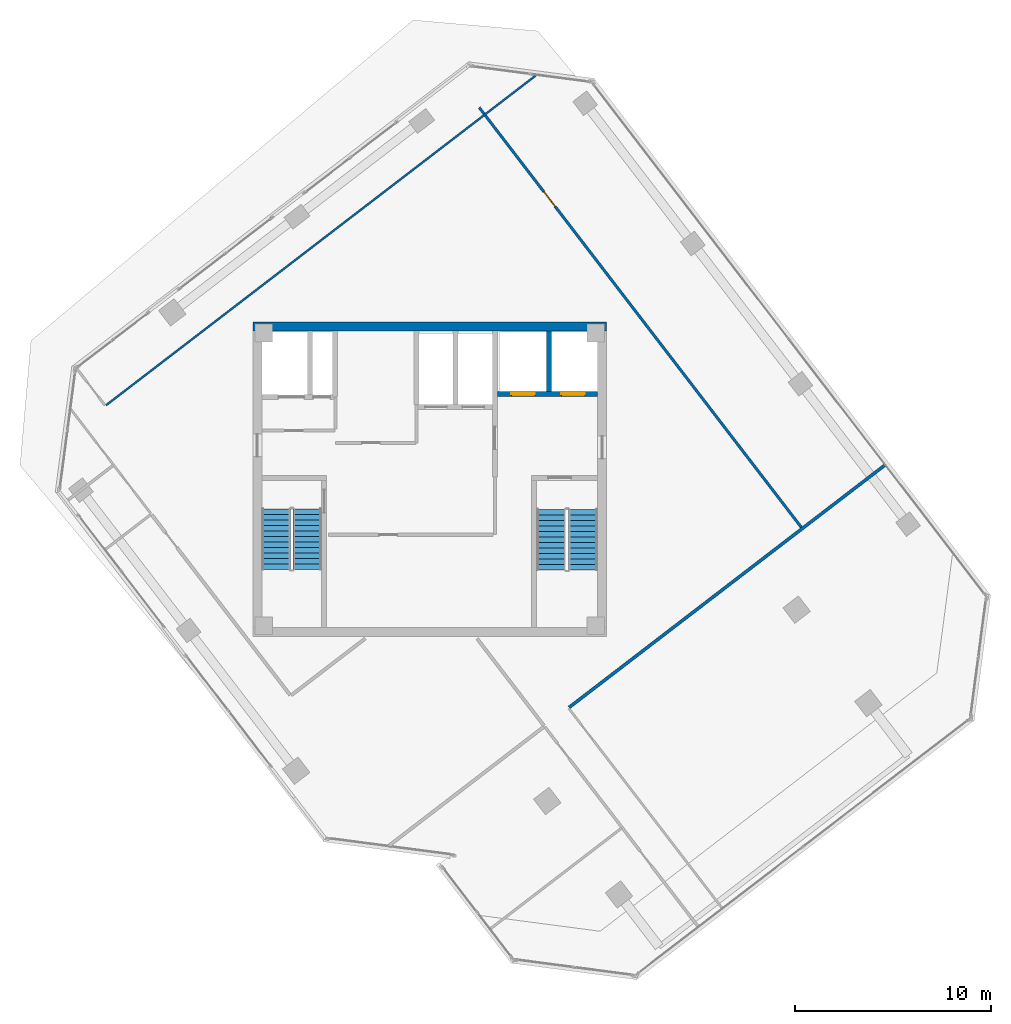
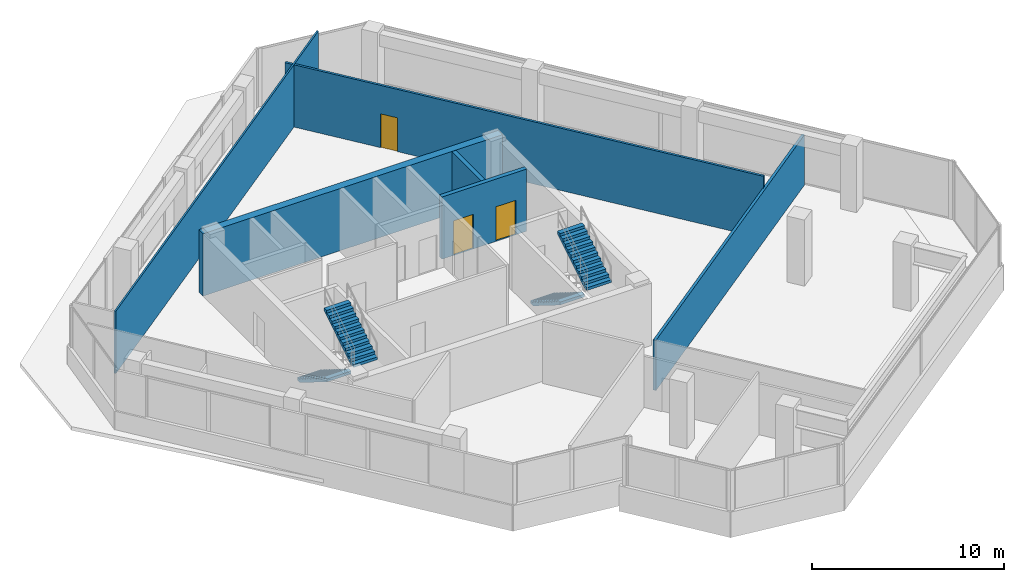
# One storey, part 14 of 17: 6 walls, 4 stair flights, 3 doors, 3 openings, 2 elements without a shape of their own.
"""IFC4 building model written with IfcOpenShell, lengths in metres."""

from ifc_helpers import new_model, si_unit, direction, frame, frame_2d, origin, place, context, subcontext, project, spatial, polyline, rectangle, outline, extrude, source, transform, mapped, material, layer, layer_set, type_object, element, fill, aggregate, save


model = new_model("IFC4")

# Units and contexts
model_context = context("Model", 3, precision=1e-05, world=origin(), true_north=direction((0.0, 1.0)))
body_context = subcontext(model_context, "Body", "Model", "MODEL_VIEW")
ifc_project = project(units=[si_unit("LENGTHUNIT", "METRE"), si_unit("AREAUNIT", "SQUARE_METRE"), si_unit("VOLUMEUNIT", "CUBIC_METRE"), si_unit("PLANEANGLEUNIT", "RADIAN"), si_unit("MASSUNIT", "GRAM", prefix="KILO")], contexts=[model_context])

# Site, building, storey
site_placement = place(None, origin())
site = spatial("IfcSite", under=ifc_project, at=site_placement, CompositionType="ELEMENT")
building_placement = place(site_placement, origin())
building = spatial("IfcBuilding", under=site, at=building_placement, Name="Torre Montelarca", CompositionType="ELEMENT")
storey_placement = place(building_placement, frame((0.0, 0.0, 279.39990234375)))
storey = spatial("IfcBuildingStorey", under=building, at=storey_placement, Name="L63", CompositionType="ELEMENT", Elevation=279.39990234375)

# Wall, openings, doors
ifc_material_1 = material(Name="Concrete C40/50", Category="concrete")
ifc_layer_1 = layer(ifc_material_1, 0.25, Name="Concrete C40/50", Category="concrete")
ifc_layer_set_1 = layer_set([ifc_layer_1], Name="Concrete C40/50")
wall_type_1 = type_object("IfcWallType", Name="CW-SHAFT-250", PredefinedType="SHEAR", material=ifc_layer_set_1)
wall_1_placement = place(storey_placement, frame((21.449951171875, 36.35009765625, 0.0), z_axis=(0.0, 0.0, 1.0), x_axis=(1.0, 0.0, 0.0)))
wall_1 = element("IfcWall", 1, at=wall_1_placement, inside=storey, type_object=wall_type_1, Name="L63 Core Shear Wall SH-FF-S", PredefinedType="SHEAR", context=body_context, shape_type="SweptSolid", body=[
    extrude(rectangle(XDim=5.090087890625, YDim=0.25, at=frame_2d((2.544921875, 0.0))), origin(), (0.0, 0.0, 1.0), 3.960205078125),
])
opening_1_placement = place(wall_1_placement, frame((0.699951171875, 0.0, 0.0)))
opening_1 = element("IfcOpeningElement", 2, at=opening_1_placement, cuts=wall_1, Name="Opening LD-120", PredefinedType="OPENING", context=body_context, shape_type="SweptSolid", body=[
    extrude(rectangle(XDim=1.199951171875, YDim=2.199951171875, at=frame_2d((0.60009765625, 1.10009765625))), frame((0.0, 0.135009765625, 0.0), z_axis=(0.0, -1.0, 0.0), x_axis=(1.0, 0.0, 0.0)), (0.0, 0.0, 1.0), 0.27001953125),
])
opening_2_placement = place(wall_1_placement, frame((3.25, 0.0, 0.0)))
opening_2 = element("IfcOpeningElement", 3, at=opening_2_placement, cuts=wall_1, Name="Opening LD-120", PredefinedType="OPENING", context=body_context, shape_type="SweptSolid", body=[
    extrude(rectangle(XDim=1.199951171875, YDim=2.199951171875, at=frame_2d((0.60009765625, 1.10009765625))), frame((0.0, 0.135009765625, 0.0), z_axis=(0.0, -1.0, 0.0), x_axis=(1.0, 0.0, 0.0)), (0.0, 0.0, 1.0), 0.27001953125),
])
ifc_material_2 = material(Name="Brushed stainless steel AISI 316", Category="steel")
door_type_1 = type_object("IfcDoorType", Name="DR-LIFT-120", OperationType="SLIDING_TO_RIGHT", PredefinedType="DOOR", material=ifc_material_2)
shared_shape_1 = source(origin(), body_context, "Body", "SweptSolid", [
    extrude(rectangle(XDim=1.199951171875, YDim=2.199951171875, at=frame_2d((0.60009765625, 1.10009765625))), frame((0.0, 0.02490234375, 0.0), z_axis=(0.0, -1.0, 0.0), x_axis=(1.0, 0.0, 0.0)), (0.0, 0.0, 1.0), 0.050048828125),
])
door_1_placement = place(opening_1_placement, origin())
door_1 = element("IfcDoor", 4, at=door_1_placement, inside=storey, type_object=door_type_1, Name="L63 Lift Landing Sliding Door FF-1", OperationType="SLIDING_TO_LEFT", OverallHeight=2.199951171875, OverallWidth=1.199951171875, PredefinedType="DOOR", context=body_context, shape_type="MappedRepresentation", body=[
    mapped(shared_shape_1, transform((0.0, 0.0, 0.0), scale=1.0)),
])
fill(opening_1, door_1)
door_2_placement = place(opening_2_placement, origin())
door_2 = element("IfcDoor", 5, at=door_2_placement, inside=storey, type_object=door_type_1, Name="L63 Lift Landing Sliding Door FF-2", OperationType="SLIDING_TO_RIGHT", OverallHeight=2.199951171875, OverallWidth=1.199951171875, PredefinedType="DOOR", context=body_context, shape_type="MappedRepresentation", body=[
    mapped(shared_shape_1, transform((0.0, 0.0, 0.0), scale=1.0)),
])
fill(opening_2, door_2)

# Walls
wall_2_placement = place(storey_placement, frame((24.080078125, 36.47998046875, 0.0), z_axis=(0.0, 0.0, 1.0), x_axis=(0.0, 1.0, 0.0)))
element("IfcWall", 6, at=wall_2_placement, inside=storey, type_object=wall_type_1, Name="L63 Core Shear Wall SH-FF-M", PredefinedType="SHEAR", context=body_context, shape_type="SweptSolid", body=[
    extrude(rectangle(XDim=3.06005859375, YDim=0.25, at=frame_2d((1.530029296875, 0.0))), origin(), (0.0, 0.0, 1.0), 3.960205078125),
])
ifc_material_3 = material(Name="Concrete C55/67", Category="concrete")
ifc_layer_2 = layer(ifc_material_3, 0.449951171875, Name="Concrete C55/67", Category="concrete")
ifc_layer_set_2 = layer_set([ifc_layer_2], Name="Concrete C55/67")
wall_type_2 = type_object("IfcWallType", Name="CW-SHEAR-450", PredefinedType="SHEAR", material=ifc_layer_set_2)
wall_3_placement = place(storey_placement, frame((9.0, 39.77490234375, 0.0), z_axis=(0.0, 0.0, 1.0), x_axis=(1.0, 0.0, 0.0)))
element("IfcWall", 7, at=wall_3_placement, inside=storey, type_object=wall_type_2, Name="L63 Core Shear Wall CW-N1", PredefinedType="SHEAR", context=body_context, shape_type="SweptSolid", body=[
    extrude(rectangle(XDim=18.0, YDim=0.449951171875, at=frame_2d((9.0, 0.0))), origin(), (0.0, 0.0, 1.0), 3.960205078125),
])
ifc_material_4 = material(Name="Gypsum plasterboard on steel stud", Category="steel")
ifc_layer_3 = layer(ifc_material_4, 0.159912109375, Name="Gypsum plasterboard on steel stud", Category="steel")
ifc_layer_set_3 = layer_set([ifc_layer_3], Name="Gypsum plasterboard on steel stud")
wall_type_3 = type_object("IfcWallType", Name="PW-FIRE-160", PredefinedType="PARTITIONING", material=ifc_layer_set_3)
wall_4_placement = place(storey_placement, frame((25.091796875, 20.38671875, 0.0), z_axis=(0.0, 0.0, 1.0), x_axis=(0.793357014217, 0.608756641025, 0.0)))
element("IfcWall", 8, at=wall_4_placement, inside=storey, type_object=wall_type_3, Name="L63 Interior Partition W-L63-ECN", PredefinedType="PARTITIONING", context=body_context, shape_type="SweptSolid", body=[
    extrude(rectangle(XDim=20.239990234375, YDim=0.159912109375, at=frame_2d((10.1201171875, 0.0))), origin(), (0.0, 0.0, 1.0), 3.195068359375),
])
ifc_material_5 = material(Name="Acoustic laminated glass partition", Category="glass")
ifc_layer_4 = layer(ifc_material_5, 0.10009765625, Name="Acoustic laminated glass partition", Category="glass")
ifc_layer_set_4 = layer_set([ifc_layer_4], Name="Acoustic laminated glass partition")
wall_type_4 = type_object("IfcWallType", Name="PW-GLAZ-100", PredefinedType="PARTITIONING", material=ifc_layer_set_4)
wall_5_placement = place(storey_placement, frame((1.519287109375, 35.764404296875, 0.0), z_axis=(0.0, 0.0, 1.0), x_axis=(0.793353184068, 0.608761632602, 0.0)))
element("IfcWall", 9, at=wall_5_placement, inside=storey, type_object=wall_type_4, Name="L63 Interior Partition W-L63-WPKE", PredefinedType="PARTITIONING", context=body_context, shape_type="SweptSolid", body=[
    extrude(rectangle(XDim=27.572265625, YDim=0.10009765625, at=frame_2d((13.7861328125, 0.0))), origin(), (0.0, 0.0, 1.0), 3.960205078125),
])

# Wall, opening, door
ifc_layer_5 = layer(ifc_material_4, 0.135009765625, Name="Gypsum plasterboard on steel stud", Category="steel")
ifc_layer_set_5 = layer_set([ifc_layer_5], Name="Gypsum plasterboard on steel stud")
wall_type_5 = type_object("IfcWallType", Name="PW-PART-135", PredefinedType="PARTITIONING", material=ifc_layer_set_5)
wall_6_placement = place(storey_placement, frame((20.517822265625, 50.92236328125, 0.0), z_axis=(0.0, 0.0, 1.0), x_axis=(0.608759693778, -0.793354671778, 0.0)))
wall_6 = element("IfcWall", 10, at=wall_6_placement, inside=storey, type_object=wall_type_5, Name="L63 Interior Partition W-L63-NBOT", PredefinedType="PARTITIONING", context=body_context, shape_type="SweptSolid", body=[
    extrude(rectangle(XDim=26.969970703125, YDim=0.135009765625, at=frame_2d((13.48486328125, 0.0))), origin(), (0.0, 0.0, 1.0), 3.960205078125),
])
opening_3_placement = place(wall_6_placement, frame((5.39990234375, 0.0, 0.0)))
opening_3 = element("IfcOpeningElement", 11, at=opening_3_placement, cuts=wall_6, Name="Opening ID-095", PredefinedType="OPENING", context=body_context, shape_type="SweptSolid", body=[
    extrude(rectangle(XDim=0.949951171875, YDim=2.14990234375, at=frame_2d((0.47509765625, 1.074951171875))), frame((0.0, 0.07763671875, 0.0), z_axis=(0.0, -1.0, 0.0), x_axis=(1.0, 0.0, 0.0)), (0.0, 0.0, 1.0), 0.155029296875),
])
ifc_material_6 = material(Name="Hardwood acoustic timber veneer", Category="wood")
door_type_2 = type_object("IfcDoorType", Name="DR-INT-095", OperationType="NOTDEFINED", PredefinedType="DOOR", material=ifc_material_6)
shared_shape_2 = source(origin(), body_context, "Body", "SweptSolid", [
    extrude(rectangle(XDim=0.949951171875, YDim=2.14990234375, at=frame_2d((0.47509765625, 1.074951171875))), frame((0.0, 0.02490234375, 0.0), z_axis=(0.0, -1.0, 0.0), x_axis=(1.0, 0.0, 0.0)), (0.0, 0.0, 1.0), 0.050048828125),
])
door_3_placement = place(opening_3_placement, origin())
door_3 = element("IfcDoor", 12, at=door_3_placement, inside=storey, type_object=door_type_2, Name="L63 Interior Door 07", OperationType="SINGLE_SWING_LEFT", OverallHeight=2.14990234375, OverallWidth=0.949951171875, PredefinedType="DOOR", context=body_context, shape_type="MappedRepresentation", body=[
    mapped(shared_shape_2, transform((0.0, 0.0, 0.0), scale=1.0)),
])
fill(opening_3, door_3)

# Stair, stair flights
stair_type_1 = type_object("IfcStairType", Name="ST-CORE-ST1", PredefinedType="HALF_TURN_STAIR", material=ifc_material_1)
stair_1_placement = place(storey_placement, origin())
stair_1 = element("IfcStair", 13, at=stair_1_placement, inside=storey, type_object=stair_type_1, Name="L63 Protected Exit Stair ST1", PredefinedType="HALF_TURN_STAIR")
stair_flight_type_1 = type_object("IfcStairFlightType", Name="SFL-CORE-ST1", PredefinedType="STRAIGHT", material=ifc_material_1)
stair_flight_1_placement = place(storey_placement, frame((10.175048828125, 30.5, 0.0), z_axis=(0.0, 0.0, 1.0), x_axis=(0.0, -1.0, 0.0)))
stair_flight_1 = element("IfcStairFlight", 14, at=stair_flight_1_placement, type_object=stair_flight_type_1, Name="ST1 flight 1", NumberOfRisers=12, NumberOfTreads=11, PredefinedType="STRAIGHT", RiserHeight=0.175, TreadLength=0.28, context=body_context, shape_type="SweptSolid", body=[
    extrude(outline(polyline([(0.0, 0.0), (0.0, 0.175048828125), (0.280029296875, 0.175048828125), (0.280029296875, 0.35009765625), (0.56005859375, 0.35009765625), (0.56005859375, 0.52490234375), (0.840087890625, 0.52490234375), (0.840087890625, 0.699951171875), (1.1201171875, 0.699951171875), (1.1201171875, 0.875), (1.39990234375, 0.875), (1.39990234375, 1.050048828125), (1.679931640625, 1.050048828125), (1.679931640625, 1.22509765625), (1.9599609375, 1.22509765625), (1.9599609375, 1.39990234375), (2.239990234375, 1.39990234375), (2.239990234375, 1.574951171875), (2.52001953125, 1.574951171875), (2.52001953125, 1.75), (2.800048828125, 1.75), (2.800048828125, 1.925048828125), (3.080078125, 1.925048828125), (3.080078125, 2.10009765625), (3.080078125, 1.748291015625), (0.28271484375, 0.0), (0.0, 0.0)])), frame((0.0, 0.72509765625, 0.0), z_axis=(0.0, -1.0, 0.0), x_axis=(1.0, 0.0, 0.0)), (0.0, 0.0, 1.0), 1.449951171875),
])
stair_flight_2_placement = place(storey_placement, frame((11.77490234375, 27.419921875, 2.10009765625), z_axis=(0.0, 0.0, 1.0), x_axis=(0.0, 1.0, 0.0)))
stair_flight_2 = element("IfcStairFlight", 15, at=stair_flight_2_placement, type_object=stair_flight_type_1, Name="ST1 flight 2", NumberOfRisers=12, NumberOfTreads=11, PredefinedType="STRAIGHT", RiserHeight=0.175, TreadLength=0.28, context=body_context, shape_type="SweptSolid", body=[
    extrude(outline(polyline([(0.0, 0.0), (0.0, 0.175048828125), (0.280029296875, 0.175048828125), (0.280029296875, 0.35009765625), (0.56005859375, 0.35009765625), (0.56005859375, 0.52490234375), (0.840087890625, 0.52490234375), (0.840087890625, 0.699951171875), (1.1201171875, 0.699951171875), (1.1201171875, 0.875), (1.39990234375, 0.875), (1.39990234375, 1.050048828125), (1.679931640625, 1.050048828125), (1.679931640625, 1.22509765625), (1.9599609375, 1.22509765625), (1.9599609375, 1.39990234375), (2.239990234375, 1.39990234375), (2.239990234375, 1.574951171875), (2.52001953125, 1.574951171875), (2.52001953125, 1.75), (2.800048828125, 1.75), (2.800048828125, 1.925048828125), (3.080078125, 1.925048828125), (3.080078125, 2.10009765625), (3.080078125, 1.748291015625), (0.28271484375, 0.0), (0.0, 0.0)])), frame((0.0, 0.72509765625, 0.0), z_axis=(0.0, -1.0, 0.0), x_axis=(1.0, 0.0, 0.0)), (0.0, 0.0, 1.0), 1.449951171875),
])
aggregate(stair_1, [stair_flight_1, stair_flight_2])

stair_type_2 = type_object("IfcStairType", Name="ST-CORE-ST2", PredefinedType="HALF_TURN_STAIR", material=ifc_material_1)
stair_2_placement = place(storey_placement, origin())
stair_2 = element("IfcStair", 16, at=stair_2_placement, inside=storey, type_object=stair_type_2, Name="L63 Protected Exit Stair ST2", PredefinedType="HALF_TURN_STAIR")
stair_flight_type_2 = type_object("IfcStairFlightType", Name="SFL-CORE-ST2", PredefinedType="STRAIGHT", material=ifc_material_1)
stair_flight_3_placement = place(storey_placement, frame((24.179931640625, 30.469970703125, 0.0), z_axis=(0.0, 0.0, 1.0), x_axis=(0.0, -1.0, 0.0)))
stair_flight_3 = element("IfcStairFlight", 17, at=stair_flight_3_placement, type_object=stair_flight_type_2, Name="ST2 flight 1", NumberOfRisers=12, NumberOfTreads=11, PredefinedType="STRAIGHT", RiserHeight=0.175, TreadLength=0.28, context=body_context, shape_type="SweptSolid", body=[
    extrude(outline(polyline([(0.0, 0.0), (0.0, 0.175048828125), (0.280029296875, 0.175048828125), (0.280029296875, 0.35009765625), (0.56005859375, 0.35009765625), (0.56005859375, 0.52490234375), (0.840087890625, 0.52490234375), (0.840087890625, 0.699951171875), (1.1201171875, 0.699951171875), (1.1201171875, 0.875), (1.39990234375, 0.875), (1.39990234375, 1.050048828125), (1.679931640625, 1.050048828125), (1.679931640625, 1.22509765625), (1.9599609375, 1.22509765625), (1.9599609375, 1.39990234375), (2.239990234375, 1.39990234375), (2.239990234375, 1.574951171875), (2.52001953125, 1.574951171875), (2.52001953125, 1.75), (2.800048828125, 1.75), (2.800048828125, 1.925048828125), (3.080078125, 1.925048828125), (3.080078125, 2.10009765625), (3.080078125, 1.748291015625), (0.28271484375, 0.0), (0.0, 0.0)])), frame((0.0, 0.739990234375, 0.0), z_axis=(0.0, -1.0, 0.0), x_axis=(1.0, 0.0, 0.0)), (0.0, 0.0, 1.0), 1.47998046875),
])
stair_flight_4_placement = place(storey_placement, frame((25.81005859375, 27.389892578125, 2.10009765625), z_axis=(0.0, 0.0, 1.0), x_axis=(0.0, 1.0, 0.0)))
stair_flight_4 = element("IfcStairFlight", 18, at=stair_flight_4_placement, type_object=stair_flight_type_2, Name="ST2 flight 2", NumberOfRisers=12, NumberOfTreads=11, PredefinedType="STRAIGHT", RiserHeight=0.175, TreadLength=0.28, context=body_context, shape_type="SweptSolid", body=[
    extrude(outline(polyline([(0.0, 0.0), (0.0, 0.175048828125), (0.280029296875, 0.175048828125), (0.280029296875, 0.35009765625), (0.56005859375, 0.35009765625), (0.56005859375, 0.52490234375), (0.840087890625, 0.52490234375), (0.840087890625, 0.699951171875), (1.1201171875, 0.699951171875), (1.1201171875, 0.875), (1.39990234375, 0.875), (1.39990234375, 1.050048828125), (1.679931640625, 1.050048828125), (1.679931640625, 1.22509765625), (1.9599609375, 1.22509765625), (1.9599609375, 1.39990234375), (2.239990234375, 1.39990234375), (2.239990234375, 1.574951171875), (2.52001953125, 1.574951171875), (2.52001953125, 1.75), (2.800048828125, 1.75), (2.800048828125, 1.925048828125), (3.080078125, 1.925048828125), (3.080078125, 2.10009765625), (3.080078125, 1.748291015625), (0.28271484375, 0.0), (0.0, 0.0)])), frame((0.0, 0.739990234375, 0.0), z_axis=(0.0, -1.0, 0.0), x_axis=(1.0, 0.0, 0.0)), (0.0, 0.0, 1.0), 1.47998046875),
])
aggregate(stair_2, [stair_flight_3, stair_flight_4])

save(model, "model.ifc")
